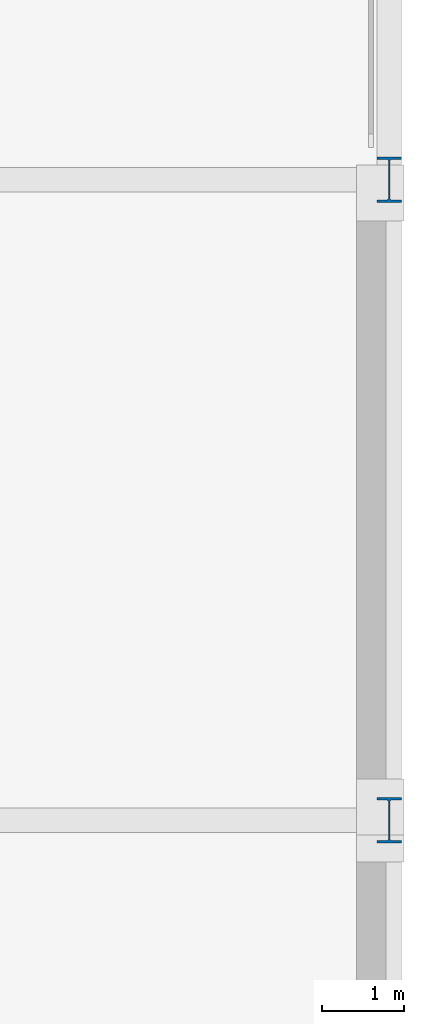
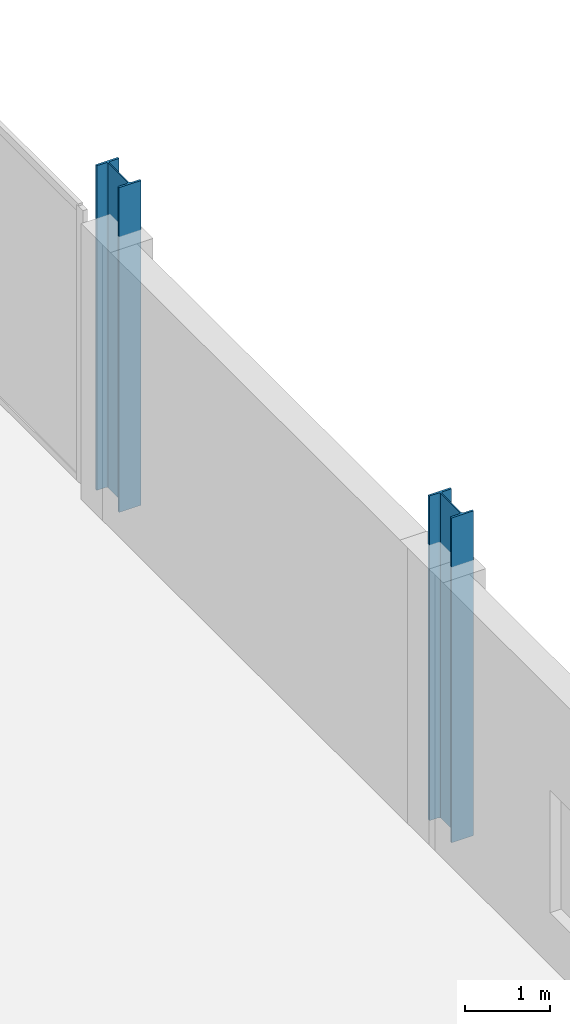
# One storey, part 15 of 98: 2 columns.
"""IFC4 building model written with IfcOpenShell, lengths in metres."""

from ifc_helpers import new_model, si_unit, direction, frame, origin, origin_2d, place, context, subcontext, project, spatial, i_section, extrude, material, material_profile, profile_set, type_object, element, save


model = new_model("IFC4")

# Units and contexts
model_context = context("Model", 3, precision=1e-05, world=origin(), true_north=direction((0.0, 1.0)))
body_context = subcontext(model_context, "Body", "Model", "MODEL_VIEW")
ifc_project = project(units=[si_unit("LENGTHUNIT", "METRE"), si_unit("AREAUNIT", "SQUARE_METRE"), si_unit("VOLUMEUNIT", "CUBIC_METRE"), si_unit("PLANEANGLEUNIT", "RADIAN"), si_unit("MASSUNIT", "GRAM", prefix="KILO")], contexts=[model_context])

# Site, building, storey
site_placement = place(None, origin())
site = spatial("IfcSite", under=ifc_project, at=site_placement, CompositionType="ELEMENT")
building_placement = place(site_placement, origin())
building = spatial("IfcBuilding", under=site, at=building_placement, Name="Nabrawat Pavilion Hospital", CompositionType="ELEMENT")
storey_placement = place(building_placement, frame((0.0, 0.0, 10.199951171875)))
storey = spatial("IfcBuildingStorey", under=building, at=storey_placement, Name="L02", CompositionType="ELEMENT", Elevation=10.199951171875)

# Columns
ifc_material = material(Name="Steel S355", Category="steel")
ifc_material_profile = material_profile(ifc_material, i_section(OverallWidth=0.300048828125, OverallDepth=0.550048828125, WebThickness=0.014892578125, FlangeThickness=0.029052734375, FilletRadius=0.027099609375, at=origin_2d()), Name="HEB 550")
ifc_profile_set = profile_set([ifc_material_profile], Name="Steel S355")
column_type = type_object("IfcColumnType", Name="Composite Steel Column HEB 550", PredefinedType="COLUMN", material=ifc_profile_set)
for number, where, z_axis, x_axis, name in (
    (1, (193.199951171875, 46.800048828125, 0.0), (0.0, 0.0, 1.0), (1.0, 0.0, 0.0), "L02 Structural Column G-24-G"),
    (2, (193.199951171875, 54.60009765625, 0.0), (0.0, 0.0, 1.0), (1.0, 0.0, 0.0), "L02 Structural Column G-24-H"),
):
    element("IfcColumn", number, at=place(storey_placement, frame(where, z_axis=z_axis, x_axis=x_axis)), inside=storey, type_object=column_type, Name=name, PredefinedType="COLUMN", context=body_context, shape_type="SweptSolid", body=[
        extrude(i_section(OverallWidth=0.300048828125, OverallDepth=0.550048828125, WebThickness=0.014892578125, FlangeThickness=0.029052734375, FilletRadius=0.027099609375, at=origin_2d()), origin(), (0.0, 0.0, 1.0), 4.650146484375),
    ])

save(model, "model.ifc")
